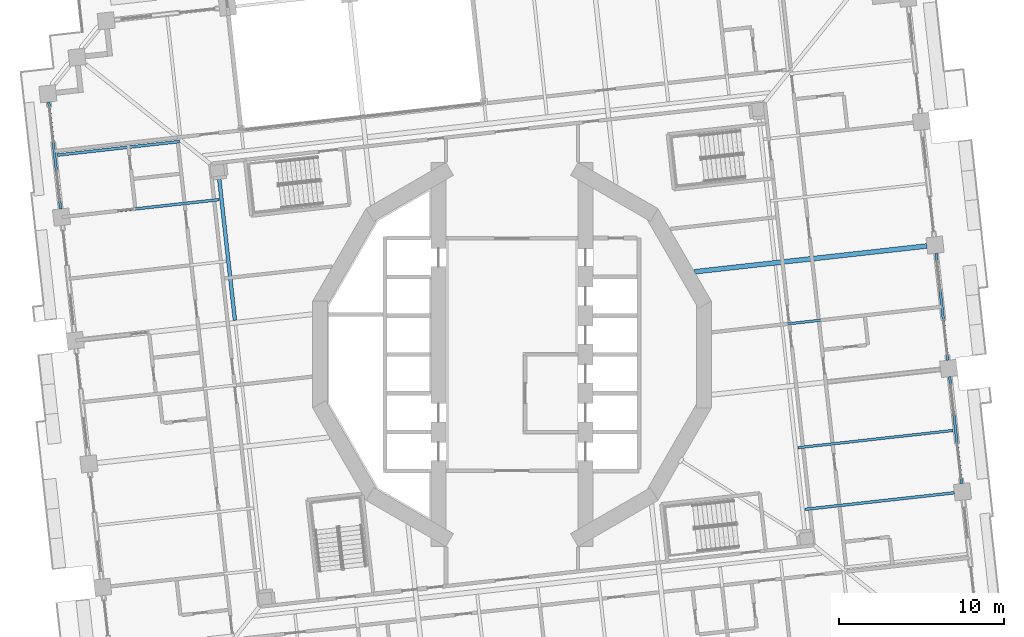
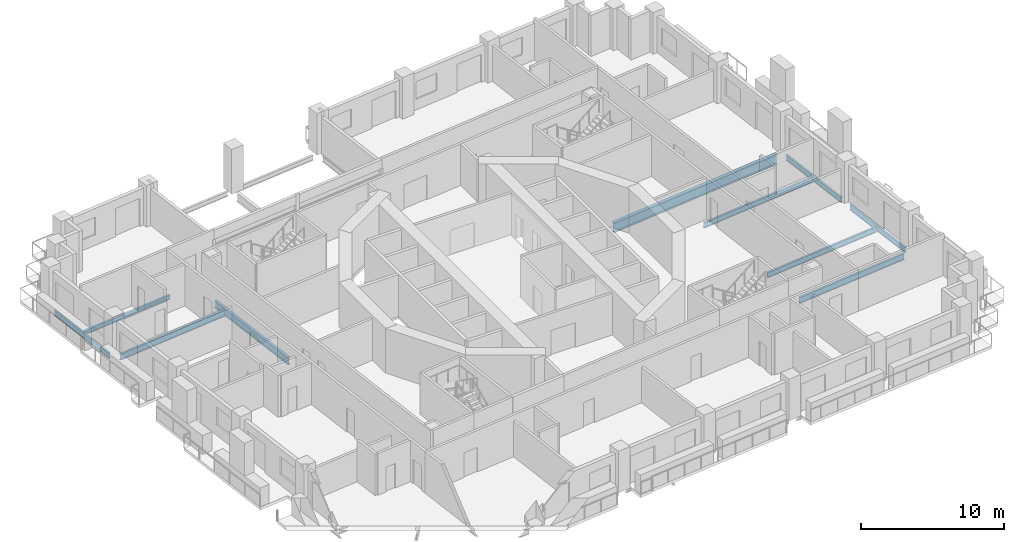
# One storey, part 2 of 21: 10 beams.
"""IFC4 building model written with IfcOpenShell, lengths in metres."""

from ifc_helpers import new_model, si_unit, direction, frame, origin, origin_2d, place, context, subcontext, project, spatial, i_section, extrude, material, material_profile, profile_set, type_object, element, save


model = new_model("IFC4")

# Units and contexts
model_context = context("Model", 3, precision=1e-05, world=origin(), true_north=direction((0.0, 1.0)))
body_context = subcontext(model_context, "Body", "Model", "MODEL_VIEW")
ifc_project = project(units=[si_unit("LENGTHUNIT", "METRE"), si_unit("AREAUNIT", "SQUARE_METRE"), si_unit("VOLUMEUNIT", "CUBIC_METRE"), si_unit("PLANEANGLEUNIT", "RADIAN"), si_unit("MASSUNIT", "GRAM", prefix="KILO")], contexts=[model_context])

# Site, building, storey
site_placement = place(None, origin())
site = spatial("IfcSite", under=ifc_project, at=site_placement, CompositionType="ELEMENT")
building_placement = place(site_placement, origin())
building = spatial("IfcBuilding", under=site, at=building_placement, Name="Cantera Rosa Tower", CompositionType="ELEMENT")
storey_placement = place(building_placement, frame((0.0, 0.0, 57.699951171875)))
storey = spatial("IfcBuildingStorey", under=building, at=storey_placement, Name="L11", CompositionType="ELEMENT", Elevation=57.699951171875)

# Beams
ifc_material_1 = material(Name="Steel ASTM A992 (Fy 345 MPa)", Category="steel")
ifc_material_profile_1 = material_profile(ifc_material_1, i_section(OverallWidth=0.166015625, OverallDepth=0.528076171875, WebThickness=0.009765625, FlangeThickness=0.013671875, FilletRadius=0.0126953125, at=origin_2d()), Name="W530X74")
ifc_profile_set_1 = profile_set([ifc_material_profile_1], Name="Steel ASTM A992 (Fy 345 MPa)")
beam_type_1 = type_object("IfcBeamType", Name="STEEL BEAM W530X74", PredefinedType="BEAM", material=ifc_profile_set_1)
for number, where, z_axis, x_axis, name in (
    (1, (26.78759765625, -8.376220703125, -0.513916015625), (-0.993899428859, -0.110290186845, 0.0), (0.110290186845, -0.993899428859, 0.0), "G-Z1-01 L11"),
    (2, (-26.78759765625, 8.376220703125, -0.513916015625), (0.993899428859, 0.110290186845, 0.0), (-0.110290186845, 0.993899428859, 0.0), "G-Z1-15 L11"),
):
    element("IfcBeam", number, at=place(storey_placement, frame(where, z_axis=z_axis, x_axis=x_axis)), inside=storey, type_object=beam_type_1, Name=name, PredefinedType="BEAM", context=body_context, shape_type="SweptSolid", body=[
        extrude(i_section(OverallWidth=0.166015625, OverallDepth=0.528076171875, WebThickness=0.009765625, FlangeThickness=0.013671875, FilletRadius=0.0126953125, at=origin_2d()), origin(), (0.0, 0.0, 1.0), 9.10009765625),
    ])
ifc_material_2 = material(Name="Steel ASTM A992 (Fy 345 MPa)", Category="steel")
ifc_material_profile_2 = material_profile(ifc_material_2, i_section(OverallWidth=0.22802734375, OverallDepth=0.60205078125, WebThickness=0.010498046875, FlangeThickness=0.014892578125, FilletRadius=0.0126953125, at=origin_2d()), Name="W610X101")
ifc_profile_set_2 = profile_set([ifc_material_profile_2], Name="Steel ASTM A992 (Fy 345 MPa)")
beam_type_2 = type_object("IfcBeamType", Name="STEEL BEAM W610X101", PredefinedType="BEAM", material=ifc_profile_set_2)
beam_1_placement = place(storey_placement, frame((-16.781005859375, 2.071533203125, -0.551025390625), z_axis=(-0.110298932846, 0.993898458301, 0.0), x_axis=(-0.993898458301, -0.110298932846, 0.0)))
element("IfcBeam", 3, at=beam_1_placement, inside=storey, type_object=beam_type_2, Name="RB-Z1-12 L11", PredefinedType="BEAM", context=body_context, shape_type="SweptSolid", body=[
    extrude(i_section(OverallWidth=0.22802734375, OverallDepth=0.60205078125, WebThickness=0.010498046875, FlangeThickness=0.014892578125, FilletRadius=0.0126953125, at=origin_2d()), origin(), (0.0, 0.0, 1.0), 8.68994140625),
])
ifc_material_3 = material(Name="Steel ASTM A992 (Fy 345 MPa)", Category="steel")
ifc_material_profile_3 = material_profile(ifc_material_3, i_section(OverallWidth=0.2919921875, OverallDepth=0.8359375, WebThickness=0.013916015625, FlangeThickness=0.018798828125, FilletRadius=0.017822265625, at=origin_2d()), Name="W840X176")
ifc_profile_set_3 = profile_set([ifc_material_profile_3], Name="Steel ASTM A992 (Fy 345 MPa)")
beam_type_3 = type_object("IfcBeamType", Name="STEEL BEAM W840X176", PredefinedType="BEAM", material=ifc_profile_set_3)
beam_2_placement = place(storey_placement, frame((25.12841796875, 6.572021484375, -0.66796875), z_axis=(-0.993897599241, -0.110306673519, 0.0), x_axis=(0.110306673519, -0.993897599241, 0.0)))
element("IfcBeam", 4, at=beam_2_placement, inside=storey, type_object=beam_type_3, Name="G-Z1-03 L11", PredefinedType="BEAM", context=body_context, shape_type="SweptSolid", body=[
    extrude(i_section(OverallWidth=0.2919921875, OverallDepth=0.8359375, WebThickness=0.013916015625, FlangeThickness=0.018798828125, FilletRadius=0.017822265625, at=origin_2d()), origin(), (0.0, 0.0, 1.0), 14.1650390625),
])
ifc_material_4 = material(Name="Steel ASTM A992 (Fy 345 MPa)", Category="steel")
ifc_material_profile_4 = material_profile(ifc_material_4, i_section(OverallWidth=0.1708984375, OverallDepth=0.35595703125, WebThickness=0.00732421875, FlangeThickness=0.01171875, FilletRadius=0.010009765625, at=origin_2d()), Name="W360X51")
ifc_profile_set_4 = profile_set([ifc_material_profile_4], Name="Steel ASTM A992 (Fy 345 MPa)")
beam_type_4 = type_object("IfcBeamType", Name="STEEL JOIST W360X51", PredefinedType="JOIST", material=ifc_profile_set_4)
beam_3_placement = place(storey_placement, frame((-27.550048828125, 12.074462890625, -0.427978515625), z_axis=(0.993895702238, 0.110323764768, 0.0), x_axis=(-0.110323764768, 0.993895702238, 0.0)))
element("IfcBeam", 5, at=beam_3_placement, inside=storey, type_object=beam_type_4, Name="B-Z1-18 L11", PredefinedType="JOIST", context=body_context, shape_type="SweptSolid", body=[
    extrude(i_section(OverallWidth=0.1708984375, OverallDepth=0.35595703125, WebThickness=0.00732421875, FlangeThickness=0.01171875, FilletRadius=0.010009765625, at=origin_2d()), origin(), (0.0, 0.0, 1.0), 7.4599609375),
])
ifc_material_5 = material(Name="Steel ASTM A992 (Fy 345 MPa)", Category="steel")
ifc_material_profile_5 = material_profile(ifc_material_5, i_section(OverallWidth=0.154052734375, OverallDepth=0.4599609375, WebThickness=0.009033203125, FlangeThickness=0.015380859375, FilletRadius=0.01025390625, at=origin_2d()), Name="W460X68")
ifc_profile_set_5 = profile_set([ifc_material_profile_5], Name="Steel ASTM A992 (Fy 345 MPa)")
beam_type_5 = type_object("IfcBeamType", Name="STEEL JOIST W460X68", PredefinedType="JOIST", material=ifc_profile_set_5)
for number, where, z_axis, x_axis, name in (
    (6, (26.720458984375, -4.600341796875, -0.47998046875), (-0.993896645353, -0.110315268011, 0.0), (0.110315268011, -0.993896645353, 0.0), "B-Z1-02 L11"),
    (7, (25.89111328125, 2.87353515625, -0.47998046875), (-0.993899477629, -0.110289747342, 0.0), (0.110289747342, -0.993899477629, 0.0), "B-Z1-03 L11"),
):
    element("IfcBeam", number, at=place(storey_placement, frame(where, z_axis=z_axis, x_axis=x_axis)), inside=storey, type_object=beam_type_5, Name=name, PredefinedType="JOIST", context=body_context, shape_type="SweptSolid", body=[
        extrude(i_section(OverallWidth=0.154052734375, OverallDepth=0.4599609375, WebThickness=0.009033203125, FlangeThickness=0.015380859375, FilletRadius=0.01025390625, at=origin_2d()), origin(), (0.0, 0.0, 1.0), 9.449951171875),
    ])
ifc_material_6 = material(Name="Steel ASTM A992 (Fy 345 MPa)", Category="steel")
ifc_material_profile_6 = material_profile(ifc_material_6, i_section(OverallWidth=0.154052734375, OverallDepth=0.4599609375, WebThickness=0.009033203125, FlangeThickness=0.015380859375, FilletRadius=0.01025390625, at=origin_2d()), Name="W460X68")
ifc_profile_set_6 = profile_set([ifc_material_profile_6], Name="Steel ASTM A992 (Fy 345 MPa)")
beam_type_6 = type_object("IfcBeamType", Name="STEEL SPANDREL BEAM W460X68", PredefinedType="SPANDREL", material=ifc_profile_set_6)
for number, where, z_axis, x_axis, name in (
    (8, (27.229248046875, -7.823974609375, -0.47998046875), (-0.110312341265, 0.993896970196, 0.0), (-0.993896970196, -0.110312341265, 0.0), "EB-Z1-02 L11"),
    (9, (26.399658203125, -0.349853515625, -0.47998046875), (-0.110312341265, 0.993896970196, 0.0), (-0.993896970196, -0.110312341265, 0.0), "EB-Z1-03 L11"),
    (10, (-28.058837890625, 15.298095703125, -0.47998046875), (0.110312341265, -0.993896970196, 0.0), (0.993896970196, 0.110312341265, 0.0), "EB-Z1-16 L11"),
):
    element("IfcBeam", number, at=place(storey_placement, frame(where, z_axis=z_axis, x_axis=x_axis)), inside=storey, type_object=beam_type_6, Name=name, PredefinedType="SPANDREL", context=body_context, shape_type="SweptSolid", body=[
        extrude(i_section(OverallWidth=0.154052734375, OverallDepth=0.4599609375, WebThickness=0.009033203125, FlangeThickness=0.015380859375, FilletRadius=0.01025390625, at=origin_2d()), origin(), (0.0, 0.0, 1.0), 6.52001953125),
    ])

save(model, "model.ifc")
